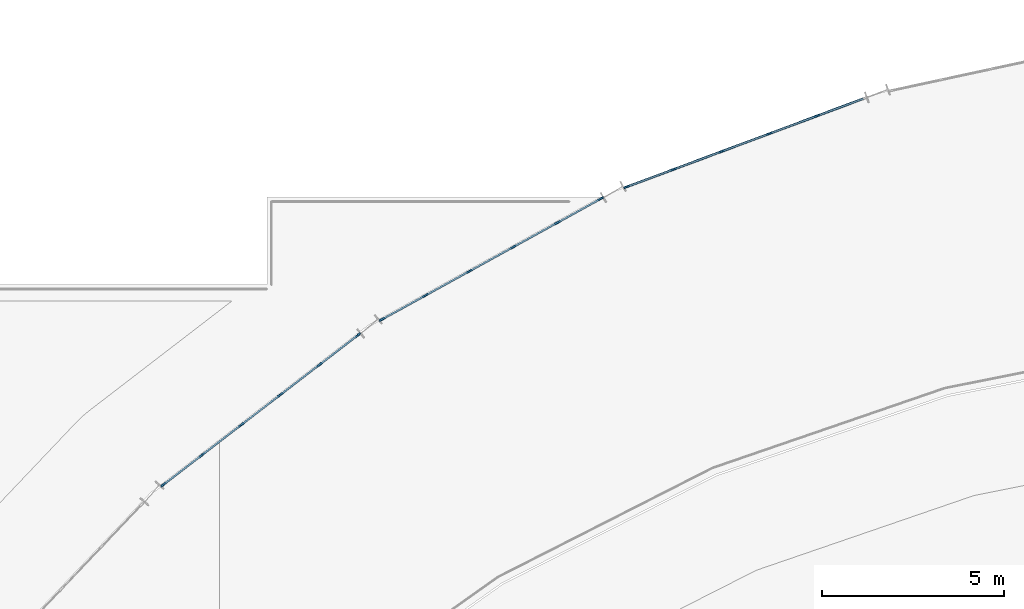
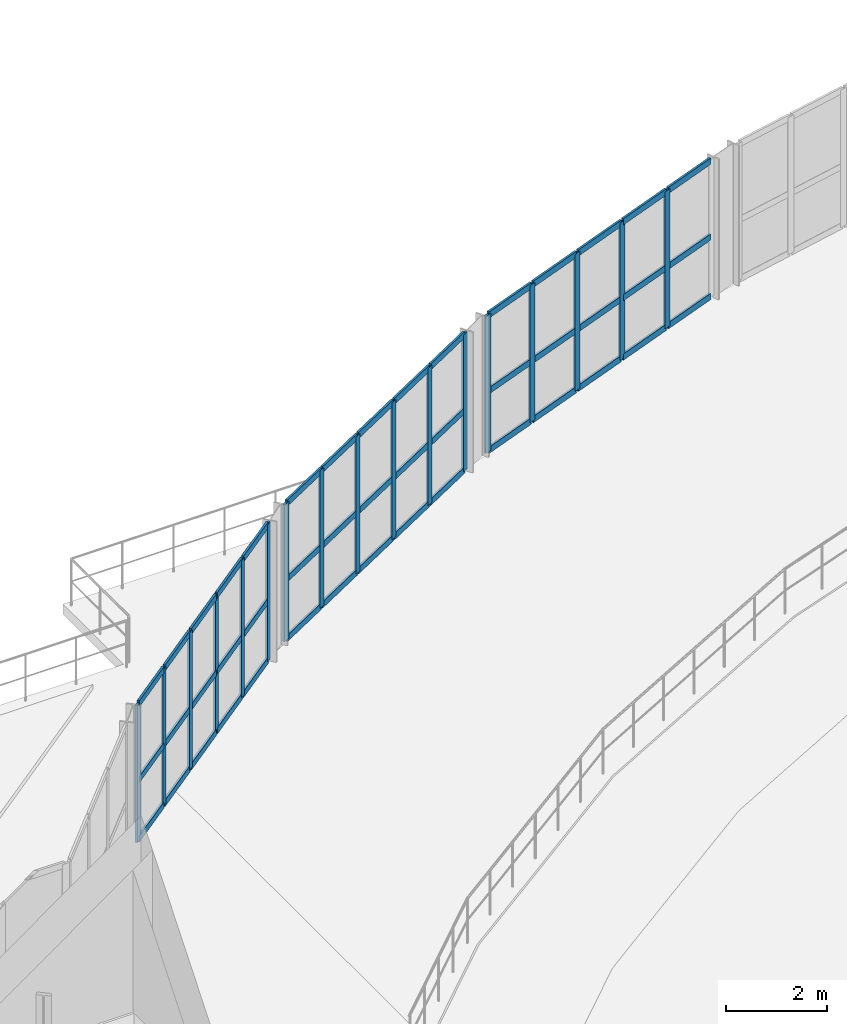
# One storey, part 18 of 40: 62 members, 3 elements without a shape of their own.
"""IFC4 building model written with IfcOpenShell, lengths in metres."""

from ifc_helpers import new_model, si_unit, direction, frame, origin, origin_2d, place, context, subcontext, project, spatial, rectangle, extrude, material, material_profile, profile_set, type_object, element, aggregate, save


model = new_model("IFC4")

# Units and contexts
model_context = context("Model", 3, precision=1e-05, world=origin(), true_north=direction((0.0, 1.0)))
body_context = subcontext(model_context, "Body", "Model", "MODEL_VIEW")
ifc_project = project(units=[si_unit("LENGTHUNIT", "METRE"), si_unit("AREAUNIT", "SQUARE_METRE"), si_unit("VOLUMEUNIT", "CUBIC_METRE"), si_unit("PLANEANGLEUNIT", "RADIAN"), si_unit("MASSUNIT", "GRAM", prefix="KILO")], contexts=[model_context])

# Site, building, storey
site_placement = place(None, origin())
site = spatial("IfcSite", under=ifc_project, at=site_placement, CompositionType="ELEMENT")
building_placement = place(site_placement, origin())
building = spatial("IfcBuilding", under=site, at=building_placement, Name="Glasvene Arena", CompositionType="ELEMENT")
storey_placement = place(building_placement, frame((0.0, 0.0, 24.0)))
storey = spatial("IfcBuildingStorey", under=building, at=storey_placement, Name="L05", CompositionType="ELEMENT", Elevation=24.0)

# Curtain wall, members
ifc_material_1 = material(Name="Low-emissivity laminated double glazing", Category="glass")
curtain_wall_type_1 = type_object("IfcCurtainWallType", Name="CW-FAC-L05-679x332", PredefinedType="USERDEFINED", material=ifc_material_1)
curtain_wall_1_placement = place(storey_placement, frame((56.93994140625, 105.046875, 0.0)))
curtain_wall_1 = element("IfcCurtainWall", 1, at=curtain_wall_1_placement, inside=storey, type_object=curtain_wall_type_1, Name="Unitised curtain wall CW-F-L05-150-596-1071-14", ObjectType="CURTAIN WALL", PredefinedType="USERDEFINED")
ifc_material_2 = material(Name="Anodised architectural aluminium", Category="aluminium")
ifc_material_profile_1 = material_profile(ifc_material_2, rectangle(XDim=0.050048828125, YDim=0.159912109375, at=origin_2d()), Name="ALU MULLION 50x160")
ifc_profile_set_1 = profile_set([ifc_material_profile_1], Name="Anodised architectural aluminium")
member_type_1 = type_object("IfcMemberType", Name="CW-MUL-150", PredefinedType="MULLION", material=ifc_profile_set_1)
member_1_placement = place(storey_placement, frame((56.959716796875, 105.062255859375, 0.06005859375), z_axis=(0.0, 0.0, 1.0), x_axis=(-0.609430105187, 0.792839799008, 0.0)))
member_1 = element("IfcMember", 2, at=member_1_placement, type_object=member_type_1, Name="CW-061 mullion 1", PredefinedType="MULLION", context=body_context, shape_type="SweptSolid", body=[
    extrude(rectangle(XDim=0.050048828125, YDim=0.159912109375, at=origin_2d()), origin(), (0.0, 0.0, 1.0), 3.31982421875),
])
member_2_placement = place(storey_placement, frame((58.015869140625, 105.8740234375, 0.06005859375), z_axis=(0.0, 0.0, 1.0), x_axis=(-0.609430105187, 0.792839799008, 0.0)))
member_2 = element("IfcMember", 3, at=member_2_placement, type_object=member_type_1, Name="CW-061 mullion 2", PredefinedType="MULLION", context=body_context, shape_type="SweptSolid", body=[
    extrude(rectangle(XDim=0.050048828125, YDim=0.159912109375, at=origin_2d()), origin(), (0.0, 0.0, 1.0), 3.31982421875),
])
member_3_placement = place(storey_placement, frame((59.091796875, 106.700927734375, 0.06005859375), z_axis=(0.0, 0.0, 1.0), x_axis=(-0.609430105187, 0.792839799008, 0.0)))
member_3 = element("IfcMember", 4, at=member_3_placement, type_object=member_type_1, Name="CW-061 mullion 3", PredefinedType="MULLION", context=body_context, shape_type="SweptSolid", body=[
    extrude(rectangle(XDim=0.050048828125, YDim=0.159912109375, at=origin_2d()), origin(), (0.0, 0.0, 1.0), 3.31982421875),
])
member_4_placement = place(storey_placement, frame((60.167724609375, 107.528076171875, 0.06005859375), z_axis=(0.0, 0.0, 1.0), x_axis=(-0.609430105187, 0.792839799008, 0.0)))
member_4 = element("IfcMember", 5, at=member_4_placement, type_object=member_type_1, Name="CW-061 mullion 4", PredefinedType="MULLION", context=body_context, shape_type="SweptSolid", body=[
    extrude(rectangle(XDim=0.050048828125, YDim=0.159912109375, at=origin_2d()), origin(), (0.0, 0.0, 1.0), 3.31982421875),
])
member_5_placement = place(storey_placement, frame((61.24365234375, 108.35498046875, 0.06005859375), z_axis=(0.0, 0.0, 1.0), x_axis=(-0.609430105187, 0.792839799008, 0.0)))
member_5 = element("IfcMember", 6, at=member_5_placement, type_object=member_type_1, Name="CW-061 mullion 5", PredefinedType="MULLION", context=body_context, shape_type="SweptSolid", body=[
    extrude(rectangle(XDim=0.050048828125, YDim=0.159912109375, at=origin_2d()), origin(), (0.0, 0.0, 1.0), 3.31982421875),
])
member_6_placement = place(storey_placement, frame((62.2998046875, 109.166748046875, 0.06005859375), z_axis=(0.0, 0.0, 1.0), x_axis=(-0.609430105187, 0.792839799008, 0.0)))
member_6 = element("IfcMember", 7, at=member_6_placement, type_object=member_type_1, Name="CW-061 mullion 6", PredefinedType="MULLION", context=body_context, shape_type="SweptSolid", body=[
    extrude(rectangle(XDim=0.050048828125, YDim=0.159912109375, at=origin_2d()), origin(), (0.0, 0.0, 1.0), 3.31982421875),
])

curtain_wall_type_2 = type_object("IfcCurtainWallType", Name="CW-FAC-L05-690x332", PredefinedType="USERDEFINED", material=ifc_material_1)
curtain_wall_2_placement = place(storey_placement, frame((62.9365234375, 109.58544921875, 0.0)))
curtain_wall_2 = element("IfcCurtainWall", 8, at=curtain_wall_2_placement, inside=storey, type_object=curtain_wall_type_2, Name="Unitised curtain wall CW-F-L05-150-660-1113-15", ObjectType="CURTAIN WALL", PredefinedType="USERDEFINED")
member_7_placement = place(storey_placement, frame((62.95849609375, 109.59765625, 0.06005859375), z_axis=(0.0, 0.0, 1.0), x_axis=(-0.482938658483, 0.875654185248, 0.0)))
member_7 = element("IfcMember", 9, at=member_7_placement, type_object=member_type_1, Name="CW-062 mullion 1", PredefinedType="MULLION", context=body_context, shape_type="SweptSolid", body=[
    extrude(rectangle(XDim=0.050048828125, YDim=0.159912109375, at=origin_2d()), origin(), (0.0, 0.0, 1.0), 3.31982421875),
])
member_8_placement = place(storey_placement, frame((64.14501953125, 110.251953125, 0.06005859375), z_axis=(0.0, 0.0, 1.0), x_axis=(-0.482938658483, 0.875654185248, 0.0)))
member_8 = element("IfcMember", 10, at=member_8_placement, type_object=member_type_1, Name="CW-062 mullion 2", PredefinedType="MULLION", context=body_context, shape_type="SweptSolid", body=[
    extrude(rectangle(XDim=0.050048828125, YDim=0.159912109375, at=origin_2d()), origin(), (0.0, 0.0, 1.0), 3.31982421875),
])
member_9_placement = place(storey_placement, frame((65.353515625, 110.91845703125, 0.06005859375), z_axis=(0.0, 0.0, 1.0), x_axis=(-0.482938658483, 0.875654185248, 0.0)))
member_9 = element("IfcMember", 11, at=member_9_placement, type_object=member_type_1, Name="CW-062 mullion 3", PredefinedType="MULLION", context=body_context, shape_type="SweptSolid", body=[
    extrude(rectangle(XDim=0.050048828125, YDim=0.159912109375, at=origin_2d()), origin(), (0.0, 0.0, 1.0), 3.31982421875),
])
member_10_placement = place(storey_placement, frame((66.56201171875, 111.5849609375, 0.06005859375), z_axis=(0.0, 0.0, 1.0), x_axis=(-0.482938658483, 0.875654185248, 0.0)))
member_10 = element("IfcMember", 12, at=member_10_placement, type_object=member_type_1, Name="CW-062 mullion 4", PredefinedType="MULLION", context=body_context, shape_type="SweptSolid", body=[
    extrude(rectangle(XDim=0.050048828125, YDim=0.159912109375, at=origin_2d()), origin(), (0.0, 0.0, 1.0), 3.31982421875),
])
member_11_placement = place(storey_placement, frame((67.7705078125, 112.25146484375, 0.06005859375), z_axis=(0.0, 0.0, 1.0), x_axis=(-0.482938658483, 0.875654185248, 0.0)))
member_11 = element("IfcMember", 13, at=member_11_placement, type_object=member_type_1, Name="CW-062 mullion 5", PredefinedType="MULLION", context=body_context, shape_type="SweptSolid", body=[
    extrude(rectangle(XDim=0.050048828125, YDim=0.159912109375, at=origin_2d()), origin(), (0.0, 0.0, 1.0), 3.31982421875),
])
member_12_placement = place(storey_placement, frame((68.957275390625, 112.906005859375, 0.06005859375), z_axis=(0.0, 0.0, 1.0), x_axis=(-0.482938658483, 0.875654185248, 0.0)))
member_12 = element("IfcMember", 14, at=member_12_placement, type_object=member_type_1, Name="CW-062 mullion 6", PredefinedType="MULLION", context=body_context, shape_type="SweptSolid", body=[
    extrude(rectangle(XDim=0.050048828125, YDim=0.159912109375, at=origin_2d()), origin(), (0.0, 0.0, 1.0), 3.31982421875),
])

curtain_wall_type_3 = type_object("IfcCurtainWallType", Name="CW-FAC-L05-700x332", PredefinedType="USERDEFINED", material=ifc_material_1)
curtain_wall_3_placement = place(storey_placement, frame((69.648193359375, 113.22509765625, 0.0)))
curtain_wall_3 = element("IfcCurtainWall", 15, at=curtain_wall_3_placement, inside=storey, type_object=curtain_wall_type_3, Name="Unitised curtain wall CW-F-L05-150-729-1144-16", ObjectType="CURTAIN WALL", PredefinedType="USERDEFINED")
member_13_placement = place(storey_placement, frame((69.671630859375, 113.233642578125, 0.06005859375), z_axis=(0.0, 0.0, 1.0), x_axis=(-0.349296753096, 0.937012154818, 0.0)))
member_13 = element("IfcMember", 16, at=member_13_placement, type_object=member_type_1, Name="CW-063 mullion 1", PredefinedType="MULLION", context=body_context, shape_type="SweptSolid", body=[
    extrude(rectangle(XDim=0.050048828125, YDim=0.159912109375, at=origin_2d()), origin(), (0.0, 0.0, 1.0), 3.31982421875),
])
member_14_placement = place(storey_placement, frame((70.959716796875, 113.7138671875, 0.06005859375), z_axis=(0.0, 0.0, 1.0), x_axis=(-0.349296753096, 0.937012154818, 0.0)))
member_14 = element("IfcMember", 17, at=member_14_placement, type_object=member_type_1, Name="CW-063 mullion 2", PredefinedType="MULLION", context=body_context, shape_type="SweptSolid", body=[
    extrude(rectangle(XDim=0.050048828125, YDim=0.159912109375, at=origin_2d()), origin(), (0.0, 0.0, 1.0), 3.31982421875),
])
member_15_placement = place(storey_placement, frame((72.27099609375, 114.20263671875, 0.06005859375), z_axis=(0.0, 0.0, 1.0), x_axis=(-0.349296753096, 0.937012154818, 0.0)))
member_15 = element("IfcMember", 18, at=member_15_placement, type_object=member_type_1, Name="CW-063 mullion 3", PredefinedType="MULLION", context=body_context, shape_type="SweptSolid", body=[
    extrude(rectangle(XDim=0.050048828125, YDim=0.159912109375, at=origin_2d()), origin(), (0.0, 0.0, 1.0), 3.31982421875),
])
member_16_placement = place(storey_placement, frame((73.58251953125, 114.691650390625, 0.06005859375), z_axis=(0.0, 0.0, 1.0), x_axis=(-0.349296753096, 0.937012154818, 0.0)))
member_16 = element("IfcMember", 19, at=member_16_placement, type_object=member_type_1, Name="CW-063 mullion 4", PredefinedType="MULLION", context=body_context, shape_type="SweptSolid", body=[
    extrude(rectangle(XDim=0.050048828125, YDim=0.159912109375, at=origin_2d()), origin(), (0.0, 0.0, 1.0), 3.31982421875),
])
member_17_placement = place(storey_placement, frame((74.893798828125, 115.180419921875, 0.06005859375), z_axis=(0.0, 0.0, 1.0), x_axis=(-0.349296753096, 0.937012154818, 0.0)))
member_17 = element("IfcMember", 20, at=member_17_placement, type_object=member_type_1, Name="CW-063 mullion 5", PredefinedType="MULLION", context=body_context, shape_type="SweptSolid", body=[
    extrude(rectangle(XDim=0.050048828125, YDim=0.159912109375, at=origin_2d()), origin(), (0.0, 0.0, 1.0), 3.31982421875),
])

# Member
ifc_material_profile_2 = material_profile(ifc_material_2, rectangle(XDim=0.050048828125, YDim=0.14990234375, at=origin_2d()), Name="ALU TRANSOM 50x150")
ifc_profile_set_2 = profile_set([ifc_material_profile_2], Name="Anodised architectural aluminium")
member_type_2 = type_object("IfcMemberType", Name="CW-TRN-150", PredefinedType="USERDEFINED", material=ifc_profile_set_2)
member_18_placement = place(storey_placement, frame((56.979736328125, 105.077392578125, 0.0849609375), z_axis=(0.792836336902, 0.609434609197, 0.0), x_axis=(-0.609434609197, 0.792836336902, 0.0)))
member_18 = element("IfcMember", 21, at=member_18_placement, type_object=member_type_2, Name="CW-061 transom 1.1", ObjectType="TRANSOM", PredefinedType="USERDEFINED", context=body_context, shape_type="SweptSolid", body=[
    extrude(rectangle(XDim=0.050048828125, YDim=0.14990234375, at=origin_2d()), origin(), (0.0, 0.0, 1.0), 1.281982421875),
])

member_19_placement = place(storey_placement, frame((56.979736328125, 105.077392578125, 1.52099609375), z_axis=(0.792836336902, 0.609434609197, 0.0), x_axis=(-0.609434609197, 0.792836336902, 0.0)))
member_19 = element("IfcMember", 22, at=member_19_placement, type_object=member_type_2, Name="CW-061 transom 1.2", ObjectType="TRANSOM", PredefinedType="USERDEFINED", context=body_context, shape_type="SweptSolid", body=[
    extrude(rectangle(XDim=0.050048828125, YDim=0.14990234375, at=origin_2d()), origin(), (0.0, 0.0, 1.0), 1.281982421875),
])

member_20_placement = place(storey_placement, frame((56.979736328125, 105.077392578125, 3.35498046875), z_axis=(0.792836336902, 0.609434609197, 0.0), x_axis=(-0.609434609197, 0.792836336902, 0.0)))
member_20 = element("IfcMember", 23, at=member_20_placement, type_object=member_type_2, Name="CW-061 transom 1.3", ObjectType="TRANSOM", PredefinedType="USERDEFINED", context=body_context, shape_type="SweptSolid", body=[
    extrude(rectangle(XDim=0.050048828125, YDim=0.14990234375, at=origin_2d()), origin(), (0.0, 0.0, 1.0), 1.281982421875),
])

member_21_placement = place(storey_placement, frame((58.03564453125, 105.88916015625, 0.0849609375), z_axis=(0.792839176662, 0.609430914829, 0.0), x_axis=(-0.609430914829, 0.792839176662, 0.0)))
member_21 = element("IfcMember", 24, at=member_21_placement, type_object=member_type_2, Name="CW-061 transom 2.1", ObjectType="TRANSOM", PredefinedType="USERDEFINED", context=body_context, shape_type="SweptSolid", body=[
    extrude(rectangle(XDim=0.050048828125, YDim=0.14990234375, at=origin_2d()), origin(), (0.0, 0.0, 1.0), 1.30712890625),
])

member_22_placement = place(storey_placement, frame((58.03564453125, 105.88916015625, 1.52099609375), z_axis=(0.792839176662, 0.609430914829, 0.0), x_axis=(-0.609430914829, 0.792839176662, 0.0)))
member_22 = element("IfcMember", 25, at=member_22_placement, type_object=member_type_2, Name="CW-061 transom 2.2", ObjectType="TRANSOM", PredefinedType="USERDEFINED", context=body_context, shape_type="SweptSolid", body=[
    extrude(rectangle(XDim=0.050048828125, YDim=0.14990234375, at=origin_2d()), origin(), (0.0, 0.0, 1.0), 1.30712890625),
])

member_23_placement = place(storey_placement, frame((58.03564453125, 105.88916015625, 3.35498046875), z_axis=(0.792839176662, 0.609430914829, 0.0), x_axis=(-0.609430914829, 0.792839176662, 0.0)))
member_23 = element("IfcMember", 26, at=member_23_placement, type_object=member_type_2, Name="CW-061 transom 2.3", ObjectType="TRANSOM", PredefinedType="USERDEFINED", context=body_context, shape_type="SweptSolid", body=[
    extrude(rectangle(XDim=0.050048828125, YDim=0.14990234375, at=origin_2d()), origin(), (0.0, 0.0, 1.0), 1.30712890625),
])

member_24_placement = place(storey_placement, frame((59.11181640625, 106.71630859375, 0.0849609375), z_axis=(0.792860057834, 0.609403748505, 0.0), x_axis=(-0.609403748505, 0.792860057834, 0.0)))
member_24 = element("IfcMember", 27, at=member_24_placement, type_object=member_type_2, Name="CW-061 transom 3.1", ObjectType="TRANSOM", PredefinedType="USERDEFINED", context=body_context, shape_type="SweptSolid", body=[
    extrude(rectangle(XDim=0.050048828125, YDim=0.14990234375, at=origin_2d()), origin(), (0.0, 0.0, 1.0), 1.306884765625),
])

member_25_placement = place(storey_placement, frame((59.11181640625, 106.71630859375, 1.52099609375), z_axis=(0.792860057834, 0.609403748505, 0.0), x_axis=(-0.609403748505, 0.792860057834, 0.0)))
member_25 = element("IfcMember", 28, at=member_25_placement, type_object=member_type_2, Name="CW-061 transom 3.2", ObjectType="TRANSOM", PredefinedType="USERDEFINED", context=body_context, shape_type="SweptSolid", body=[
    extrude(rectangle(XDim=0.050048828125, YDim=0.14990234375, at=origin_2d()), origin(), (0.0, 0.0, 1.0), 1.306884765625),
])

member_26_placement = place(storey_placement, frame((59.11181640625, 106.71630859375, 3.35498046875), z_axis=(0.792860057834, 0.609403748505, 0.0), x_axis=(-0.609403748505, 0.792860057834, 0.0)))
member_26 = element("IfcMember", 29, at=member_26_placement, type_object=member_type_2, Name="CW-061 transom 3.3", ObjectType="TRANSOM", PredefinedType="USERDEFINED", context=body_context, shape_type="SweptSolid", body=[
    extrude(rectangle(XDim=0.050048828125, YDim=0.14990234375, at=origin_2d()), origin(), (0.0, 0.0, 1.0), 1.306884765625),
])

member_27_placement = place(storey_placement, frame((60.187744140625, 107.543212890625, 0.0849609375), z_axis=(0.7927697937, 0.609521167965, 0.0), x_axis=(-0.609521167965, 0.7927697937, 0.0)))
member_27 = element("IfcMember", 30, at=member_27_placement, type_object=member_type_2, Name="CW-061 transom 4.1", ObjectType="TRANSOM", PredefinedType="USERDEFINED", context=body_context, shape_type="SweptSolid", body=[
    extrude(rectangle(XDim=0.050048828125, YDim=0.14990234375, at=origin_2d()), origin(), (0.0, 0.0, 1.0), 1.306884765625),
])

member_28_placement = place(storey_placement, frame((60.187744140625, 107.543212890625, 1.52099609375), z_axis=(0.7927697937, 0.609521167965, 0.0), x_axis=(-0.609521167965, 0.7927697937, 0.0)))
member_28 = element("IfcMember", 31, at=member_28_placement, type_object=member_type_2, Name="CW-061 transom 4.2", ObjectType="TRANSOM", PredefinedType="USERDEFINED", context=body_context, shape_type="SweptSolid", body=[
    extrude(rectangle(XDim=0.050048828125, YDim=0.14990234375, at=origin_2d()), origin(), (0.0, 0.0, 1.0), 1.306884765625),
])

member_29_placement = place(storey_placement, frame((60.187744140625, 107.543212890625, 3.35498046875), z_axis=(0.7927697937, 0.609521167965, 0.0), x_axis=(-0.609521167965, 0.7927697937, 0.0)))
member_29 = element("IfcMember", 32, at=member_29_placement, type_object=member_type_2, Name="CW-061 transom 4.3", ObjectType="TRANSOM", PredefinedType="USERDEFINED", context=body_context, shape_type="SweptSolid", body=[
    extrude(rectangle(XDim=0.050048828125, YDim=0.14990234375, at=origin_2d()), origin(), (0.0, 0.0, 1.0), 1.306884765625),
])

member_30_placement = place(storey_placement, frame((61.263671875, 108.370361328125, 0.0849609375), z_axis=(0.792836336902, 0.609434609197, 0.0), x_axis=(-0.609434609197, 0.792836336902, 0.0)))
member_30 = element("IfcMember", 33, at=member_30_placement, type_object=member_type_2, Name="CW-061 transom 5.1", ObjectType="TRANSOM", PredefinedType="USERDEFINED", context=body_context, shape_type="SweptSolid", body=[
    extrude(rectangle(XDim=0.050048828125, YDim=0.14990234375, at=origin_2d()), origin(), (0.0, 0.0, 1.0), 1.281982421875),
])

member_31_placement = place(storey_placement, frame((61.263671875, 108.370361328125, 1.52099609375), z_axis=(0.792836336902, 0.609434609197, 0.0), x_axis=(-0.609434609197, 0.792836336902, 0.0)))
member_31 = element("IfcMember", 34, at=member_31_placement, type_object=member_type_2, Name="CW-061 transom 5.2", ObjectType="TRANSOM", PredefinedType="USERDEFINED", context=body_context, shape_type="SweptSolid", body=[
    extrude(rectangle(XDim=0.050048828125, YDim=0.14990234375, at=origin_2d()), origin(), (0.0, 0.0, 1.0), 1.281982421875),
])

member_32_placement = place(storey_placement, frame((61.263671875, 108.370361328125, 3.35498046875), z_axis=(0.792836336902, 0.609434609197, 0.0), x_axis=(-0.609434609197, 0.792836336902, 0.0)))
member_32 = element("IfcMember", 35, at=member_32_placement, type_object=member_type_2, Name="CW-061 transom 5.3", ObjectType="TRANSOM", PredefinedType="USERDEFINED", context=body_context, shape_type="SweptSolid", body=[
    extrude(rectangle(XDim=0.050048828125, YDim=0.14990234375, at=origin_2d()), origin(), (0.0, 0.0, 1.0), 1.281982421875),
])

aggregate(curtain_wall_1, [member_1, member_2, member_3, member_4, member_5, member_6, member_18, member_19, member_20, member_21, member_22, member_23, member_24, member_25, member_26, member_27, member_28, member_29, member_30, member_31, member_32])

member_33_placement = place(storey_placement, frame((62.980224609375, 109.609619140625, 0.0849609375), z_axis=(0.875626789087, 0.482988329293, 0.0), x_axis=(-0.482988329293, 0.875626789087, 0.0)))
member_33 = element("IfcMember", 36, at=member_33_placement, type_object=member_type_2, Name="CW-062 transom 1.1", ObjectType="TRANSOM", PredefinedType="USERDEFINED", context=body_context, shape_type="SweptSolid", body=[
    extrude(rectangle(XDim=0.050048828125, YDim=0.14990234375, at=origin_2d()), origin(), (0.0, 0.0, 1.0), 1.30517578125),
])

member_34_placement = place(storey_placement, frame((62.980224609375, 109.609619140625, 1.52099609375), z_axis=(0.875626789087, 0.482988329293, 0.0), x_axis=(-0.482988329293, 0.875626789087, 0.0)))
member_34 = element("IfcMember", 37, at=member_34_placement, type_object=member_type_2, Name="CW-062 transom 1.2", ObjectType="TRANSOM", PredefinedType="USERDEFINED", context=body_context, shape_type="SweptSolid", body=[
    extrude(rectangle(XDim=0.050048828125, YDim=0.14990234375, at=origin_2d()), origin(), (0.0, 0.0, 1.0), 1.30517578125),
])

member_35_placement = place(storey_placement, frame((62.980224609375, 109.609619140625, 3.35498046875), z_axis=(0.875626789087, 0.482988329293, 0.0), x_axis=(-0.482988329293, 0.875626789087, 0.0)))
member_35 = element("IfcMember", 38, at=member_35_placement, type_object=member_type_2, Name="CW-062 transom 1.3", ObjectType="TRANSOM", PredefinedType="USERDEFINED", context=body_context, shape_type="SweptSolid", body=[
    extrude(rectangle(XDim=0.050048828125, YDim=0.14990234375, at=origin_2d()), origin(), (0.0, 0.0, 1.0), 1.30517578125),
])

member_36_placement = place(storey_placement, frame((64.1669921875, 110.26416015625, 0.0849609375), z_axis=(0.875633904051, 0.482975430096, 0.0), x_axis=(-0.482975430096, 0.875633904051, 0.0)))
member_36 = element("IfcMember", 39, at=member_36_placement, type_object=member_type_2, Name="CW-062 transom 2.1", ObjectType="TRANSOM", PredefinedType="USERDEFINED", context=body_context, shape_type="SweptSolid", body=[
    extrude(rectangle(XDim=0.050048828125, YDim=0.14990234375, at=origin_2d()), origin(), (0.0, 0.0, 1.0), 1.329833984375),
])

member_37_placement = place(storey_placement, frame((64.1669921875, 110.26416015625, 1.52099609375), z_axis=(0.875633904051, 0.482975430096, 0.0), x_axis=(-0.482975430096, 0.875633904051, 0.0)))
member_37 = element("IfcMember", 40, at=member_37_placement, type_object=member_type_2, Name="CW-062 transom 2.2", ObjectType="TRANSOM", PredefinedType="USERDEFINED", context=body_context, shape_type="SweptSolid", body=[
    extrude(rectangle(XDim=0.050048828125, YDim=0.14990234375, at=origin_2d()), origin(), (0.0, 0.0, 1.0), 1.329833984375),
])

member_38_placement = place(storey_placement, frame((64.1669921875, 110.26416015625, 3.35498046875), z_axis=(0.875633904051, 0.482975430096, 0.0), x_axis=(-0.482975430096, 0.875633904051, 0.0)))
member_38 = element("IfcMember", 41, at=member_38_placement, type_object=member_type_2, Name="CW-062 transom 2.3", ObjectType="TRANSOM", PredefinedType="USERDEFINED", context=body_context, shape_type="SweptSolid", body=[
    extrude(rectangle(XDim=0.050048828125, YDim=0.14990234375, at=origin_2d()), origin(), (0.0, 0.0, 1.0), 1.329833984375),
])

member_39_placement = place(storey_placement, frame((65.37548828125, 110.9306640625, 0.0849609375), z_axis=(0.875676714478, 0.482897806705, 0.0), x_axis=(-0.482897806705, 0.875676714478, 0.0)))
member_39 = element("IfcMember", 42, at=member_39_placement, type_object=member_type_2, Name="CW-062 transom 3.1", ObjectType="TRANSOM", PredefinedType="USERDEFINED", context=body_context, shape_type="SweptSolid", body=[
    extrude(rectangle(XDim=0.050048828125, YDim=0.14990234375, at=origin_2d()), origin(), (0.0, 0.0, 1.0), 1.330078125),
])

member_40_placement = place(storey_placement, frame((65.37548828125, 110.9306640625, 1.52099609375), z_axis=(0.875676714478, 0.482897806705, 0.0), x_axis=(-0.482897806705, 0.875676714478, 0.0)))
member_40 = element("IfcMember", 43, at=member_40_placement, type_object=member_type_2, Name="CW-062 transom 3.2", ObjectType="TRANSOM", PredefinedType="USERDEFINED", context=body_context, shape_type="SweptSolid", body=[
    extrude(rectangle(XDim=0.050048828125, YDim=0.14990234375, at=origin_2d()), origin(), (0.0, 0.0, 1.0), 1.330078125),
])

member_41_placement = place(storey_placement, frame((65.37548828125, 110.9306640625, 3.35498046875), z_axis=(0.875676714478, 0.482897806705, 0.0), x_axis=(-0.482897806705, 0.875676714478, 0.0)))
member_41 = element("IfcMember", 44, at=member_41_placement, type_object=member_type_2, Name="CW-062 transom 3.3", ObjectType="TRANSOM", PredefinedType="USERDEFINED", context=body_context, shape_type="SweptSolid", body=[
    extrude(rectangle(XDim=0.050048828125, YDim=0.14990234375, at=origin_2d()), origin(), (0.0, 0.0, 1.0), 1.330078125),
])

member_42_placement = place(storey_placement, frame((66.583984375, 111.59716796875, 0.0849609375), z_axis=(0.875676714478, 0.482897806705, 0.0), x_axis=(-0.482897806705, 0.875676714478, 0.0)))
member_42 = element("IfcMember", 45, at=member_42_placement, type_object=member_type_2, Name="CW-062 transom 4.1", ObjectType="TRANSOM", PredefinedType="USERDEFINED", context=body_context, shape_type="SweptSolid", body=[
    extrude(rectangle(XDim=0.050048828125, YDim=0.14990234375, at=origin_2d()), origin(), (0.0, 0.0, 1.0), 1.330078125),
])

member_43_placement = place(storey_placement, frame((66.583984375, 111.59716796875, 1.52099609375), z_axis=(0.875676714478, 0.482897806705, 0.0), x_axis=(-0.482897806705, 0.875676714478, 0.0)))
member_43 = element("IfcMember", 46, at=member_43_placement, type_object=member_type_2, Name="CW-062 transom 4.2", ObjectType="TRANSOM", PredefinedType="USERDEFINED", context=body_context, shape_type="SweptSolid", body=[
    extrude(rectangle(XDim=0.050048828125, YDim=0.14990234375, at=origin_2d()), origin(), (0.0, 0.0, 1.0), 1.330078125),
])

member_44_placement = place(storey_placement, frame((66.583984375, 111.59716796875, 3.35498046875), z_axis=(0.875676714478, 0.482897806705, 0.0), x_axis=(-0.482897806705, 0.875676714478, 0.0)))
member_44 = element("IfcMember", 47, at=member_44_placement, type_object=member_type_2, Name="CW-062 transom 4.3", ObjectType="TRANSOM", PredefinedType="USERDEFINED", context=body_context, shape_type="SweptSolid", body=[
    extrude(rectangle(XDim=0.050048828125, YDim=0.14990234375, at=origin_2d()), origin(), (0.0, 0.0, 1.0), 1.330078125),
])

member_45_placement = place(storey_placement, frame((67.79248046875, 112.263671875, 0.0849609375), z_axis=(0.875626789087, 0.482988329293, 0.0), x_axis=(-0.482988329293, 0.875626789087, 0.0)))
member_45 = element("IfcMember", 48, at=member_45_placement, type_object=member_type_2, Name="CW-062 transom 5.1", ObjectType="TRANSOM", PredefinedType="USERDEFINED", context=body_context, shape_type="SweptSolid", body=[
    extrude(rectangle(XDim=0.050048828125, YDim=0.14990234375, at=origin_2d()), origin(), (0.0, 0.0, 1.0), 1.30517578125),
])

member_46_placement = place(storey_placement, frame((67.79248046875, 112.263671875, 1.52099609375), z_axis=(0.875626789087, 0.482988329293, 0.0), x_axis=(-0.482988329293, 0.875626789087, 0.0)))
member_46 = element("IfcMember", 49, at=member_46_placement, type_object=member_type_2, Name="CW-062 transom 5.2", ObjectType="TRANSOM", PredefinedType="USERDEFINED", context=body_context, shape_type="SweptSolid", body=[
    extrude(rectangle(XDim=0.050048828125, YDim=0.14990234375, at=origin_2d()), origin(), (0.0, 0.0, 1.0), 1.30517578125),
])

member_47_placement = place(storey_placement, frame((67.79248046875, 112.263671875, 3.35498046875), z_axis=(0.875626789087, 0.482988329293, 0.0), x_axis=(-0.482988329293, 0.875626789087, 0.0)))
member_47 = element("IfcMember", 50, at=member_47_placement, type_object=member_type_2, Name="CW-062 transom 5.3", ObjectType="TRANSOM", PredefinedType="USERDEFINED", context=body_context, shape_type="SweptSolid", body=[
    extrude(rectangle(XDim=0.050048828125, YDim=0.14990234375, at=origin_2d()), origin(), (0.0, 0.0, 1.0), 1.30517578125),
])

aggregate(curtain_wall_2, [member_7, member_8, member_9, member_10, member_11, member_12, member_33, member_34, member_35, member_36, member_37, member_38, member_39, member_40, member_41, member_42, member_43, member_44, member_45, member_46, member_47])

member_48_placement = place(storey_placement, frame((69.695068359375, 113.242431640625, 0.0849609375), z_axis=(0.937024171084, 0.349264516956, 0.0), x_axis=(-0.349264516956, 0.937024171084, 0.0)))
member_48 = element("IfcMember", 51, at=member_48_placement, type_object=member_type_2, Name="CW-063 transom 1.1", ObjectType="TRANSOM", PredefinedType="USERDEFINED", context=body_context, shape_type="SweptSolid", body=[
    extrude(rectangle(XDim=0.050048828125, YDim=0.14990234375, at=origin_2d()), origin(), (0.0, 0.0, 1.0), 1.32470703125),
])

member_49_placement = place(storey_placement, frame((69.695068359375, 113.242431640625, 1.52099609375), z_axis=(0.937024171084, 0.349264516956, 0.0), x_axis=(-0.349264516956, 0.937024171084, 0.0)))
member_49 = element("IfcMember", 52, at=member_49_placement, type_object=member_type_2, Name="CW-063 transom 1.2", ObjectType="TRANSOM", PredefinedType="USERDEFINED", context=body_context, shape_type="SweptSolid", body=[
    extrude(rectangle(XDim=0.050048828125, YDim=0.14990234375, at=origin_2d()), origin(), (0.0, 0.0, 1.0), 1.32470703125),
])

member_50_placement = place(storey_placement, frame((69.695068359375, 113.242431640625, 3.35498046875), z_axis=(0.937024171084, 0.349264516956, 0.0), x_axis=(-0.349264516956, 0.937024171084, 0.0)))
member_50 = element("IfcMember", 53, at=member_50_placement, type_object=member_type_2, Name="CW-063 transom 1.3", ObjectType="TRANSOM", PredefinedType="USERDEFINED", context=body_context, shape_type="SweptSolid", body=[
    extrude(rectangle(XDim=0.050048828125, YDim=0.14990234375, at=origin_2d()), origin(), (0.0, 0.0, 1.0), 1.32470703125),
])

member_51_placement = place(storey_placement, frame((70.983154296875, 113.72265625, 0.0849609375), z_axis=(0.93698923911, 0.349358219873, 0.0), x_axis=(-0.349358219873, 0.93698923911, 0.0)))
member_51 = element("IfcMember", 54, at=member_51_placement, type_object=member_type_2, Name="CW-063 transom 2.1", ObjectType="TRANSOM", PredefinedType="USERDEFINED", context=body_context, shape_type="SweptSolid", body=[
    extrude(rectangle(XDim=0.050048828125, YDim=0.14990234375, at=origin_2d()), origin(), (0.0, 0.0, 1.0), 1.349365234375),
])

member_52_placement = place(storey_placement, frame((70.983154296875, 113.72265625, 1.52099609375), z_axis=(0.93698923911, 0.349358219873, 0.0), x_axis=(-0.349358219873, 0.93698923911, 0.0)))
member_52 = element("IfcMember", 55, at=member_52_placement, type_object=member_type_2, Name="CW-063 transom 2.2", ObjectType="TRANSOM", PredefinedType="USERDEFINED", context=body_context, shape_type="SweptSolid", body=[
    extrude(rectangle(XDim=0.050048828125, YDim=0.14990234375, at=origin_2d()), origin(), (0.0, 0.0, 1.0), 1.349365234375),
])

member_53_placement = place(storey_placement, frame((70.983154296875, 113.72265625, 3.35498046875), z_axis=(0.93698923911, 0.349358219873, 0.0), x_axis=(-0.349358219873, 0.93698923911, 0.0)))
member_53 = element("IfcMember", 56, at=member_53_placement, type_object=member_type_2, Name="CW-063 transom 2.3", ObjectType="TRANSOM", PredefinedType="USERDEFINED", context=body_context, shape_type="SweptSolid", body=[
    extrude(rectangle(XDim=0.050048828125, YDim=0.14990234375, at=origin_2d()), origin(), (0.0, 0.0, 1.0), 1.349365234375),
])

member_54_placement = place(storey_placement, frame((72.29443359375, 114.21142578125, 0.0849609375), z_axis=(0.9370113151, 0.349299005687, 0.0), x_axis=(-0.349299005687, 0.9370113151, 0.0)))
member_54 = element("IfcMember", 57, at=member_54_placement, type_object=member_type_2, Name="CW-063 transom 3.1", ObjectType="TRANSOM", PredefinedType="USERDEFINED", context=body_context, shape_type="SweptSolid", body=[
    extrude(rectangle(XDim=0.050048828125, YDim=0.14990234375, at=origin_2d()), origin(), (0.0, 0.0, 1.0), 1.349609375),
])

member_55_placement = place(storey_placement, frame((72.29443359375, 114.21142578125, 1.52099609375), z_axis=(0.9370113151, 0.349299005687, 0.0), x_axis=(-0.349299005687, 0.9370113151, 0.0)))
member_55 = element("IfcMember", 58, at=member_55_placement, type_object=member_type_2, Name="CW-063 transom 3.2", ObjectType="TRANSOM", PredefinedType="USERDEFINED", context=body_context, shape_type="SweptSolid", body=[
    extrude(rectangle(XDim=0.050048828125, YDim=0.14990234375, at=origin_2d()), origin(), (0.0, 0.0, 1.0), 1.349609375),
])

member_56_placement = place(storey_placement, frame((72.29443359375, 114.21142578125, 3.35498046875), z_axis=(0.9370113151, 0.349299005687, 0.0), x_axis=(-0.349299005687, 0.9370113151, 0.0)))
member_56 = element("IfcMember", 59, at=member_56_placement, type_object=member_type_2, Name="CW-063 transom 3.3", ObjectType="TRANSOM", PredefinedType="USERDEFINED", context=body_context, shape_type="SweptSolid", body=[
    extrude(rectangle(XDim=0.050048828125, YDim=0.14990234375, at=origin_2d()), origin(), (0.0, 0.0, 1.0), 1.349609375),
])

member_57_placement = place(storey_placement, frame((73.60595703125, 114.7001953125, 0.0849609375), z_axis=(0.93698923911, 0.349358219873, 0.0), x_axis=(-0.349358219873, 0.93698923911, 0.0)))
member_57 = element("IfcMember", 60, at=member_57_placement, type_object=member_type_2, Name="CW-063 transom 4.1", ObjectType="TRANSOM", PredefinedType="USERDEFINED", context=body_context, shape_type="SweptSolid", body=[
    extrude(rectangle(XDim=0.050048828125, YDim=0.14990234375, at=origin_2d()), origin(), (0.0, 0.0, 1.0), 1.349365234375),
])

member_58_placement = place(storey_placement, frame((73.60595703125, 114.7001953125, 1.52099609375), z_axis=(0.93698923911, 0.349358219873, 0.0), x_axis=(-0.349358219873, 0.93698923911, 0.0)))
member_58 = element("IfcMember", 61, at=member_58_placement, type_object=member_type_2, Name="CW-063 transom 4.2", ObjectType="TRANSOM", PredefinedType="USERDEFINED", context=body_context, shape_type="SweptSolid", body=[
    extrude(rectangle(XDim=0.050048828125, YDim=0.14990234375, at=origin_2d()), origin(), (0.0, 0.0, 1.0), 1.349365234375),
])

member_59_placement = place(storey_placement, frame((73.60595703125, 114.7001953125, 3.35498046875), z_axis=(0.93698923911, 0.349358219873, 0.0), x_axis=(-0.349358219873, 0.93698923911, 0.0)))
member_59 = element("IfcMember", 62, at=member_59_placement, type_object=member_type_2, Name="CW-063 transom 4.3", ObjectType="TRANSOM", PredefinedType="USERDEFINED", context=body_context, shape_type="SweptSolid", body=[
    extrude(rectangle(XDim=0.050048828125, YDim=0.14990234375, at=origin_2d()), origin(), (0.0, 0.0, 1.0), 1.349365234375),
])

member_60_placement = place(storey_placement, frame((74.917236328125, 115.189208984375, 0.0849609375), z_axis=(0.937024171084, 0.349264516956, 0.0), x_axis=(-0.349264516956, 0.937024171084, 0.0)))
member_60 = element("IfcMember", 63, at=member_60_placement, type_object=member_type_2, Name="CW-063 transom 5.1", ObjectType="TRANSOM", PredefinedType="USERDEFINED", context=body_context, shape_type="SweptSolid", body=[
    extrude(rectangle(XDim=0.050048828125, YDim=0.14990234375, at=origin_2d()), origin(), (0.0, 0.0, 1.0), 1.32470703125),
])

member_61_placement = place(storey_placement, frame((74.917236328125, 115.189208984375, 1.52099609375), z_axis=(0.937024171084, 0.349264516956, 0.0), x_axis=(-0.349264516956, 0.937024171084, 0.0)))
member_61 = element("IfcMember", 64, at=member_61_placement, type_object=member_type_2, Name="CW-063 transom 5.2", ObjectType="TRANSOM", PredefinedType="USERDEFINED", context=body_context, shape_type="SweptSolid", body=[
    extrude(rectangle(XDim=0.050048828125, YDim=0.14990234375, at=origin_2d()), origin(), (0.0, 0.0, 1.0), 1.32470703125),
])

member_62_placement = place(storey_placement, frame((74.917236328125, 115.189208984375, 3.35498046875), z_axis=(0.937024171084, 0.349264516956, 0.0), x_axis=(-0.349264516956, 0.937024171084, 0.0)))
member_62 = element("IfcMember", 65, at=member_62_placement, type_object=member_type_2, Name="CW-063 transom 5.3", ObjectType="TRANSOM", PredefinedType="USERDEFINED", context=body_context, shape_type="SweptSolid", body=[
    extrude(rectangle(XDim=0.050048828125, YDim=0.14990234375, at=origin_2d()), origin(), (0.0, 0.0, 1.0), 1.32470703125),
])

aggregate(curtain_wall_3, [member_13, member_14, member_15, member_16, member_17, member_48, member_49, member_50, member_51, member_52, member_53, member_54, member_55, member_56, member_57, member_58, member_59, member_60, member_61, member_62])

save(model, "model.ifc")
